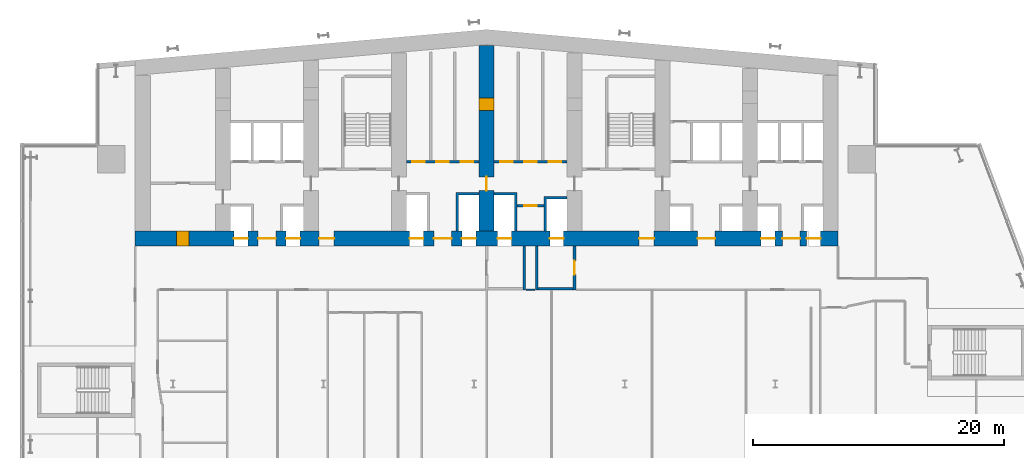
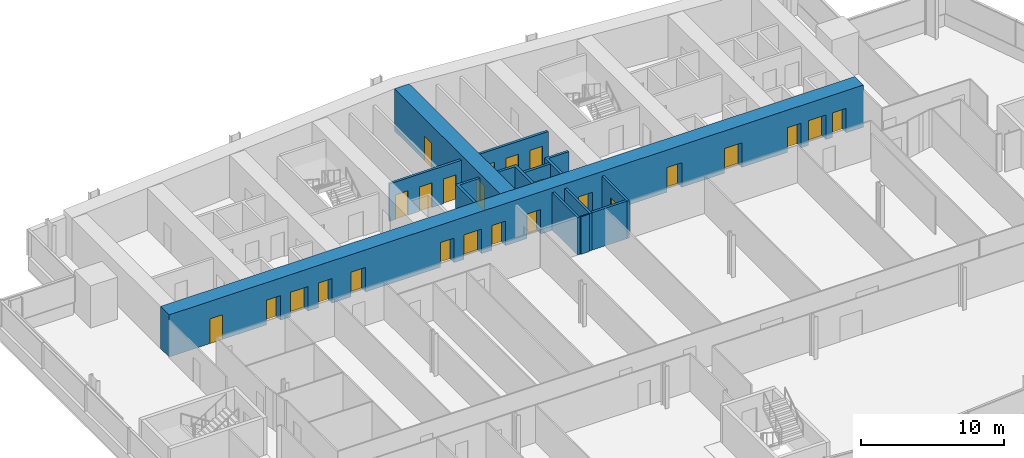
# One storey, part 16 of 24: 25 doors, 13 walls, 25 openings.
"""IFC4 building model written with IfcOpenShell, lengths in metres."""

from ifc_helpers import new_model, si_unit, direction, frame, frame_2d, origin, place, context, subcontext, project, spatial, polyline, rectangle, outline, extrude, material, layer, layer_set, type_object, element, fill, save


model = new_model("IFC4")

# Units and contexts
model_context = context("Model", 3, precision=1e-05, world=origin(), true_north=direction((0.0, 1.0)))
body_context = subcontext(model_context, "Body", "Model", "MODEL_VIEW")
ifc_project = project(units=[si_unit("LENGTHUNIT", "METRE"), si_unit("AREAUNIT", "SQUARE_METRE"), si_unit("VOLUMEUNIT", "CUBIC_METRE"), si_unit("PLANEANGLEUNIT", "RADIAN"), si_unit("MASSUNIT", "GRAM", prefix="KILO")], contexts=[model_context])

# Site, building, storey
site_placement = place(None, origin())
site = spatial("IfcSite", under=ifc_project, at=site_placement, CompositionType="ELEMENT")
building_placement = place(site_placement, origin())
building = spatial("IfcBuilding", under=site, at=building_placement, Name="Wharfspan Tower", CompositionType="ELEMENT")
storey_placement = place(building_placement, frame((0.0, 0.0, 41.5)))
storey = spatial("IfcBuildingStorey", under=building, at=storey_placement, Name="L06", CompositionType="ELEMENT", Elevation=41.5)

# Wall
ifc_material_1 = material(Name="Gypsum board on steel studs", Category="steel")
ifc_layer_1 = layer(ifc_material_1, 0.100098)
ifc_layer_set_1 = layer_set([ifc_layer_1], Name="Gypsum board on steel studs")
wall_type_1 = type_object("IfcWallType", Name="Compartment wall 100 EI 60", PredefinedType="PARTITIONING", material=ifc_layer_set_1)
wall_1_placement = place(storey_placement, frame((40.149902, 30.5, 0.0), z_axis=(0.0, 0.0, 1.0), x_axis=(1.0, 0.0, 0.0)))
element("IfcWall", 1, at=wall_1_placement, inside=storey, type_object=wall_type_1, Name="Partition L06.w014 (2)", PredefinedType="PARTITIONING", context=body_context, shape_type="SweptSolid", body=[
    extrude(rectangle(XDim=0.700195, YDim=0.100098, at=frame_2d((0.350098, 0.0))), origin(), (0.0, 0.0, 1.0), 3.199951),
])

# Wall, opening, door
ifc_material_2 = material(Name="Calcium silicate masonry", Category="masonry")
ifc_layer_2 = layer(ifc_material_2, 0.199951)
ifc_layer_set_2 = layer_set([ifc_layer_2], Name="Calcium silicate masonry")
wall_type_2 = type_object("IfcWallType", Name="Core room wall 200", PredefinedType="PARTITIONING", material=ifc_layer_set_2)
wall_2_placement = place(storey_placement, frame((39.43335, 37.199951, 0.0), z_axis=(0.0, 0.0, 1.0), x_axis=(1.0, 0.0, 0.0)))
wall_2 = element("IfcWall", 2, at=wall_2_placement, inside=storey, type_object=wall_type_2, Name="sw:L06:FR4.2", PredefinedType="PARTITIONING", context=body_context, shape_type="SweptSolid", body=[
    extrude(rectangle(XDim=2.133301, YDim=0.199951, at=frame_2d((1.06665, 0.0))), origin(), (0.0, 0.0, 1.0), 3.199951),
])
opening_1_placement = place(wall_2_placement, frame((0.56665, 0.0, 0.0)))
opening_1 = element("IfcOpeningElement", 3, at=opening_1_placement, cuts=wall_2, Name="Opening CD06.4H2", PredefinedType="OPENING", context=body_context, shape_type="SweptSolid", body=[
    extrude(rectangle(XDim=1.0, YDim=2.100098, at=frame_2d((0.5, 1.050049))), frame((0.0, 0.109863, 0.0), z_axis=(0.0, -1.0, 0.0), x_axis=(1.0, 0.0, 0.0)), (0.0, 0.0, 1.0), 0.219971),
])
ifc_material_3 = material(Name="Steel door leaf", Category="steel")
door_type_1 = type_object("IfcDoorType", Name="Core room door 1000x2100", OperationType="SINGLE_SWING_LEFT", PredefinedType="DOOR", material=ifc_material_3)
door_1_placement = place(opening_1_placement, origin())
door_1 = element("IfcDoor", 4, at=door_1_placement, inside=storey, type_object=door_type_1, Name="d:L06:4:fh4.2", OperationType="SINGLE_SWING_RIGHT", OverallHeight=2.100098, OverallWidth=1.0, PredefinedType="DOOR", context=body_context, shape_type="SweptSolid", body=[
    extrude(rectangle(XDim=1.0, YDim=2.100098, at=frame_2d((0.5, 1.050049))), frame((0.0, 0.024902, 0.0), z_axis=(0.0, -1.0, 0.0), x_axis=(1.0, 0.0, 0.0)), (0.0, 0.0, 1.0), 0.050049),
])
fill(opening_1, door_1)

# Wall, openings, doors
ifc_material_4 = material(Name="Concrete C70/85", Category="concrete")
ifc_layer_3 = layer(ifc_material_4, 1.199951)
ifc_layer_set_3 = layer_set([ifc_layer_3], Name="Concrete C70/85")
wall_type_3 = type_object("IfcWallType", Name="Core wall 1200 C70/85", PredefinedType="SHEAR", material=ifc_layer_set_3)
wall_3_placement = place(storey_placement, frame((9.0, 34.600098, 0.0), z_axis=(0.0, 0.0, 1.0), x_axis=(1.0, 0.0, 0.0)))
wall_3 = element("IfcWall", 5, at=wall_3_placement, inside=storey, type_object=wall_type_3, Name="Core front wall L06", PredefinedType="SHEAR", context=body_context, shape_type="SweptSolid", body=[
    extrude(rectangle(XDim=56.0, YDim=1.199951, at=frame_2d((28.0, 0.0))), origin(), (0.0, 0.0, 1.0), 3.600098),
])
opening_2_placement = place(wall_3_placement, frame((3.300049, 0.0, 0.0)))
opening_2 = element("IfcOpeningElement", 6, at=opening_2_placement, cuts=wall_3, Name="Opening CD06.01", PredefinedType="OPENING", context=body_context, shape_type="SweptSolid", body=[
    extrude(rectangle(XDim=1.0, YDim=2.100098, at=frame_2d((0.5, 1.050049))), frame((0.0, 0.609863, 0.0), z_axis=(0.0, -1.0, 0.0), x_axis=(1.0, 0.0, 0.0)), (0.0, 0.0, 1.0), 1.219971),
])
opening_3_placement = place(wall_3_placement, frame((7.866699, 0.0, 0.0)))
opening_3 = element("IfcOpeningElement", 7, at=opening_3_placement, cuts=wall_3, Name="Opening LD.LA1.L06", PredefinedType="OPENING", context=body_context, shape_type="SweptSolid", body=[
    extrude(rectangle(XDim=1.100098, YDim=2.100098, at=frame_2d((0.550049, 1.050049))), frame((0.0, 0.609863, 0.0), z_axis=(0.0, -1.0, 0.0), x_axis=(1.0, 0.0, 0.0)), (0.0, 0.0, 1.0), 1.219971),
])
opening_4_placement = place(wall_3_placement, frame((12.033203, 0.0, 0.0)))
opening_4 = element("IfcOpeningElement", 8, at=opening_4_placement, cuts=wall_3, Name="Opening LD.LA2.L06", PredefinedType="OPENING", context=body_context, shape_type="SweptSolid", body=[
    extrude(rectangle(XDim=1.100098, YDim=2.100098, at=frame_2d((0.550049, 1.050049))), frame((0.0, 0.609863, 0.0), z_axis=(0.0, -1.0, 0.0), x_axis=(1.0, 0.0, 0.0)), (0.0, 0.0, 1.0), 1.219971),
])
opening_5_placement = place(wall_3_placement, frame((9.800049, 0.0, 0.0)))
opening_5 = element("IfcOpeningElement", 9, at=opening_5_placement, cuts=wall_3, Name="Opening HD06.1", PredefinedType="OPENING", context=body_context, shape_type="SweptSolid", body=[
    extrude(rectangle(XDim=1.399902, YDim=2.100098, at=frame_2d((0.699951, 1.050049))), frame((0.0, 0.609863, 0.0), z_axis=(0.0, -1.0, 0.0), x_axis=(1.0, 0.0, 0.0)), (0.0, 0.0, 1.0), 1.219971),
])
opening_6_placement = place(wall_3_placement, frame((14.649902, 0.0, 0.0)))
opening_6 = element("IfcOpeningElement", 10, at=opening_6_placement, cuts=wall_3, Name="Opening SV2.L06", PredefinedType="OPENING", context=body_context, shape_type="SweptSolid", body=[
    extrude(rectangle(XDim=1.199951, YDim=2.100098, at=frame_2d((0.600098, 1.050049))), frame((0.0, 0.609863, 0.0), z_axis=(0.0, -1.0, 0.0), x_axis=(1.0, 0.0, 0.0)), (0.0, 0.0, 1.0), 1.219971),
])
opening_7_placement = place(wall_3_placement, frame((21.866699, 0.0, 0.0)))
opening_7 = element("IfcOpeningElement", 11, at=opening_7_placement, cuts=wall_3, Name="Opening LD.SL1.L06", PredefinedType="OPENING", context=body_context, shape_type="SweptSolid", body=[
    extrude(rectangle(XDim=1.100098, YDim=2.100098, at=frame_2d((0.550049, 1.050049))), frame((0.0, 0.609863, 0.0), z_axis=(0.0, -1.0, 0.0), x_axis=(1.0, 0.0, 0.0)), (0.0, 0.0, 1.0), 1.219971),
])
opening_8_placement = place(wall_3_placement, frame((26.033203, 0.0, 0.0)))
opening_8 = element("IfcOpeningElement", 12, at=opening_8_placement, cuts=wall_3, Name="Opening LD.SL2.L06", PredefinedType="OPENING", context=body_context, shape_type="SweptSolid", body=[
    extrude(rectangle(XDim=1.100098, YDim=2.100098, at=frame_2d((0.550049, 1.050049))), frame((0.0, 0.609863, 0.0), z_axis=(0.0, -1.0, 0.0), x_axis=(1.0, 0.0, 0.0)), (0.0, 0.0, 1.0), 1.219971),
])
opening_9_placement = place(wall_3_placement, frame((23.800049, 0.0, 0.0)))
opening_9 = element("IfcOpeningElement", 13, at=opening_9_placement, cuts=wall_3, Name="Opening HD06.3", PredefinedType="OPENING", context=body_context, shape_type="SweptSolid", body=[
    extrude(rectangle(XDim=1.399902, YDim=2.100098, at=frame_2d((0.699951, 1.050049))), frame((0.0, 0.609863, 0.0), z_axis=(0.0, -1.0, 0.0), x_axis=(1.0, 0.0, 0.0)), (0.0, 0.0, 1.0), 1.219971),
])
opening_10_placement = place(wall_3_placement, frame((28.866699, 0.0, 0.0)))
opening_10 = element("IfcOpeningElement", 14, at=opening_10_placement, cuts=wall_3, Name="Opening LD.FF1.L06", PredefinedType="OPENING", context=body_context, shape_type="SweptSolid", body=[
    extrude(rectangle(XDim=1.100098, YDim=2.100098, at=frame_2d((0.550049, 1.050049))), frame((0.0, 0.609863, 0.0), z_axis=(0.0, -1.0, 0.0), x_axis=(1.0, 0.0, 0.0)), (0.0, 0.0, 1.0), 1.219971),
])
opening_11_placement = place(wall_3_placement, frame((33.033203, 0.0, 0.0)))
opening_11 = element("IfcOpeningElement", 15, at=opening_11_placement, cuts=wall_3, Name="Opening LD.FF2.L06", PredefinedType="OPENING", context=body_context, shape_type="SweptSolid", body=[
    extrude(rectangle(XDim=1.100098, YDim=2.100098, at=frame_2d((0.550049, 1.050049))), frame((0.0, 0.609863, 0.0), z_axis=(0.0, -1.0, 0.0), x_axis=(1.0, 0.0, 0.0)), (0.0, 0.0, 1.0), 1.219971),
])
opening_12_placement = place(wall_3_placement, frame((40.149902, 0.0, 0.0)))
opening_12 = element("IfcOpeningElement", 16, at=opening_12_placement, cuts=wall_3, Name="Opening SV5.L06", PredefinedType="OPENING", context=body_context, shape_type="SweptSolid", body=[
    extrude(rectangle(XDim=1.199951, YDim=2.100098, at=frame_2d((0.600098, 1.050049))), frame((0.0, 0.609863, 0.0), z_axis=(0.0, -1.0, 0.0), x_axis=(1.0, 0.0, 0.0)), (0.0, 0.0, 1.0), 1.219971),
])
opening_13_placement = place(wall_3_placement, frame((44.800049, 0.0, 0.0)))
opening_13 = element("IfcOpeningElement", 17, at=opening_13_placement, cuts=wall_3, Name="Opening HD06.6", PredefinedType="OPENING", context=body_context, shape_type="SweptSolid", body=[
    extrude(rectangle(XDim=1.399902, YDim=2.100098, at=frame_2d((0.699951, 1.050049))), frame((0.0, 0.609863, 0.0), z_axis=(0.0, -1.0, 0.0), x_axis=(1.0, 0.0, 0.0)), (0.0, 0.0, 1.0), 1.219971),
])
opening_14_placement = place(wall_3_placement, frame((49.866699, 0.0, 0.0)))
opening_14 = element("IfcOpeningElement", 18, at=opening_14_placement, cuts=wall_3, Name="Opening LD.LA6.L06", PredefinedType="OPENING", context=body_context, shape_type="SweptSolid", body=[
    extrude(rectangle(XDim=1.100098, YDim=2.100098, at=frame_2d((0.550049, 1.050049))), frame((0.0, 0.609863, 0.0), z_axis=(0.0, -1.0, 0.0), x_axis=(1.0, 0.0, 0.0)), (0.0, 0.0, 1.0), 1.219971),
])
opening_15_placement = place(wall_3_placement, frame((53.5, 0.0, 0.0)))
opening_15 = element("IfcOpeningElement", 19, at=opening_15_placement, cuts=wall_3, Name="Opening LD.LA7.L06", PredefinedType="OPENING", context=body_context, shape_type="SweptSolid", body=[
    extrude(rectangle(XDim=1.100098, YDim=2.100098, at=frame_2d((0.550049, 1.050049))), frame((0.0, 0.609863, 0.0), z_axis=(0.0, -1.0, 0.0), x_axis=(1.0, 0.0, 0.0)), (0.0, 0.0, 1.0), 1.219971),
])
opening_16_placement = place(wall_3_placement, frame((51.56665, 0.0, 0.0)))
opening_16 = element("IfcOpeningElement", 20, at=opening_16_placement, cuts=wall_3, Name="Opening HD06.7", PredefinedType="OPENING", context=body_context, shape_type="SweptSolid", body=[
    extrude(rectangle(XDim=1.399902, YDim=2.100098, at=frame_2d((0.699951, 1.050049))), frame((0.0, 0.609863, 0.0), z_axis=(0.0, -1.0, 0.0), x_axis=(1.0, 0.0, 0.0)), (0.0, 0.0, 1.0), 1.219971),
])
door_2_placement = place(opening_2_placement, origin())
door_2 = element("IfcDoor", 21, at=door_2_placement, inside=storey, type_object=door_type_1, Name="d:L06:0:rf", OperationType="SINGLE_SWING_LEFT", OverallHeight=2.100098, OverallWidth=1.0, PredefinedType="DOOR", context=body_context, shape_type="SweptSolid", body=[
    extrude(rectangle(XDim=1.0, YDim=2.100098, at=frame_2d((0.5, 1.050049))), frame((0.0, 0.599609, 0.0), z_axis=(0.0, -1.0, 0.0), x_axis=(1.0, 0.0, 0.0)), (0.0, 0.0, 1.0), 1.199463),
])
fill(opening_2, door_2)
door_type_2 = type_object("IfcDoorType", Name="Hall entry door 1400x2100", OperationType="DOUBLE_DOOR_SINGLE_SWING", PredefinedType="DOOR", material=ifc_material_3)
door_3_placement = place(opening_5_placement, origin())
door_3 = element("IfcDoor", 22, at=door_3_placement, inside=storey, type_object=door_type_2, Name="d:L06:1:hd1", OperationType="DOUBLE_DOOR_SINGLE_SWING", OverallHeight=2.100098, OverallWidth=1.399902, PredefinedType="DOOR", context=body_context, shape_type="SweptSolid", body=[
    extrude(rectangle(XDim=1.399902, YDim=2.100098, at=frame_2d((0.699951, 1.050049))), frame((0.0, 0.024902, 0.0), z_axis=(0.0, -1.0, 0.0), x_axis=(1.0, 0.0, 0.0)), (0.0, 0.0, 1.0), 0.050049),
])
fill(opening_5, door_3)
door_4_placement = place(opening_9_placement, origin())
door_4 = element("IfcDoor", 23, at=door_4_placement, inside=storey, type_object=door_type_2, Name="d:L06:3:hd3", OperationType="DOUBLE_DOOR_SINGLE_SWING", OverallHeight=2.100098, OverallWidth=1.399902, PredefinedType="DOOR", context=body_context, shape_type="SweptSolid", body=[
    extrude(rectangle(XDim=1.399902, YDim=2.100098, at=frame_2d((0.699951, 1.050049))), frame((0.0, 0.024902, 0.0), z_axis=(0.0, -1.0, 0.0), x_axis=(1.0, 0.0, 0.0)), (0.0, 0.0, 1.0), 0.050049),
])
fill(opening_9, door_4)
door_5_placement = place(opening_13_placement, origin())
door_5 = element("IfcDoor", 24, at=door_5_placement, inside=storey, type_object=door_type_2, Name="d:L06:6:hd6", OperationType="DOUBLE_DOOR_SINGLE_SWING", OverallHeight=2.100098, OverallWidth=1.399902, PredefinedType="DOOR", context=body_context, shape_type="SweptSolid", body=[
    extrude(rectangle(XDim=1.399902, YDim=2.100098, at=frame_2d((0.699951, 1.050049))), frame((0.0, 0.024902, 0.0), z_axis=(0.0, -1.0, 0.0), x_axis=(1.0, 0.0, 0.0)), (0.0, 0.0, 1.0), 0.050049),
])
fill(opening_13, door_5)
door_6_placement = place(opening_16_placement, origin())
door_6 = element("IfcDoor", 25, at=door_6_placement, inside=storey, type_object=door_type_2, Name="d:L06:7:hd7", OperationType="DOUBLE_DOOR_SINGLE_SWING", OverallHeight=2.100098, OverallWidth=1.399902, PredefinedType="DOOR", context=body_context, shape_type="SweptSolid", body=[
    extrude(rectangle(XDim=1.399902, YDim=2.100098, at=frame_2d((0.699951, 1.050049))), frame((0.0, 0.024902, 0.0), z_axis=(0.0, -1.0, 0.0), x_axis=(1.0, 0.0, 0.0)), (0.0, 0.0, 1.0), 0.050049),
])
fill(opening_16, door_6)
ifc_material_5 = material(Name="Stainless steel", Category="steel")
door_type_3 = type_object("IfcDoorType", Name="Lift landing door 1100x2100", OperationType="DOUBLE_DOOR_SLIDING", PredefinedType="DOOR", material=ifc_material_5)
door_7_placement = place(opening_3_placement, origin())
door_7 = element("IfcDoor", 26, at=door_7_placement, inside=storey, type_object=door_type_3, Name="Landing door LA1 L06", OperationType="DOUBLE_DOOR_SLIDING", OverallHeight=2.100098, OverallWidth=1.100098, PredefinedType="DOOR", context=body_context, shape_type="SweptSolid", body=[
    extrude(rectangle(XDim=1.100098, YDim=2.100098, at=frame_2d((0.550049, 1.050049))), frame((0.0, 0.024902, 0.0), z_axis=(0.0, -1.0, 0.0), x_axis=(1.0, 0.0, 0.0)), (0.0, 0.0, 1.0), 0.050049),
])
fill(opening_3, door_7)
door_8_placement = place(opening_4_placement, origin())
door_8 = element("IfcDoor", 27, at=door_8_placement, inside=storey, type_object=door_type_3, Name="Landing door LA2 L06", OperationType="DOUBLE_DOOR_SLIDING", OverallHeight=2.100098, OverallWidth=1.100098, PredefinedType="DOOR", context=body_context, shape_type="SweptSolid", body=[
    extrude(rectangle(XDim=1.100098, YDim=2.100098, at=frame_2d((0.550049, 1.050049))), frame((0.0, 0.024902, 0.0), z_axis=(0.0, -1.0, 0.0), x_axis=(1.0, 0.0, 0.0)), (0.0, 0.0, 1.0), 0.050049),
])
fill(opening_4, door_8)
door_9_placement = place(opening_7_placement, origin())
door_9 = element("IfcDoor", 28, at=door_9_placement, inside=storey, type_object=door_type_3, Name="Landing door SL1 L06", OperationType="DOUBLE_DOOR_SLIDING", OverallHeight=2.100098, OverallWidth=1.100098, PredefinedType="DOOR", context=body_context, shape_type="SweptSolid", body=[
    extrude(rectangle(XDim=1.100098, YDim=2.100098, at=frame_2d((0.550049, 1.050049))), frame((0.0, 0.024902, 0.0), z_axis=(0.0, -1.0, 0.0), x_axis=(1.0, 0.0, 0.0)), (0.0, 0.0, 1.0), 0.050049),
])
fill(opening_7, door_9)
door_10_placement = place(opening_8_placement, origin())
door_10 = element("IfcDoor", 29, at=door_10_placement, inside=storey, type_object=door_type_3, Name="Landing door SL2 L06", OperationType="DOUBLE_DOOR_SLIDING", OverallHeight=2.100098, OverallWidth=1.100098, PredefinedType="DOOR", context=body_context, shape_type="SweptSolid", body=[
    extrude(rectangle(XDim=1.100098, YDim=2.100098, at=frame_2d((0.550049, 1.050049))), frame((0.0, 0.024902, 0.0), z_axis=(0.0, -1.0, 0.0), x_axis=(1.0, 0.0, 0.0)), (0.0, 0.0, 1.0), 0.050049),
])
fill(opening_8, door_10)
door_11_placement = place(opening_10_placement, origin())
door_11 = element("IfcDoor", 30, at=door_11_placement, inside=storey, type_object=door_type_3, Name="Landing door FF1 L06", OperationType="DOUBLE_DOOR_SLIDING", OverallHeight=2.100098, OverallWidth=1.100098, PredefinedType="DOOR", context=body_context, shape_type="SweptSolid", body=[
    extrude(rectangle(XDim=1.100098, YDim=2.100098, at=frame_2d((0.550049, 1.050049))), frame((0.0, 0.024902, 0.0), z_axis=(0.0, -1.0, 0.0), x_axis=(1.0, 0.0, 0.0)), (0.0, 0.0, 1.0), 0.050049),
])
fill(opening_10, door_11)
door_12_placement = place(opening_11_placement, origin())
door_12 = element("IfcDoor", 31, at=door_12_placement, inside=storey, type_object=door_type_3, Name="Landing door FF2 L06", OperationType="DOUBLE_DOOR_SLIDING", OverallHeight=2.100098, OverallWidth=1.100098, PredefinedType="DOOR", context=body_context, shape_type="SweptSolid", body=[
    extrude(rectangle(XDim=1.100098, YDim=2.100098, at=frame_2d((0.550049, 1.050049))), frame((0.0, 0.024902, 0.0), z_axis=(0.0, -1.0, 0.0), x_axis=(1.0, 0.0, 0.0)), (0.0, 0.0, 1.0), 0.050049),
])
fill(opening_11, door_12)
door_13_placement = place(opening_14_placement, origin())
door_13 = element("IfcDoor", 32, at=door_13_placement, inside=storey, type_object=door_type_3, Name="Landing door LA6 L06", OperationType="DOUBLE_DOOR_SLIDING", OverallHeight=2.100098, OverallWidth=1.100098, PredefinedType="DOOR", context=body_context, shape_type="SweptSolid", body=[
    extrude(rectangle(XDim=1.100098, YDim=2.100098, at=frame_2d((0.550049, 1.050049))), frame((0.0, 0.024902, 0.0), z_axis=(0.0, -1.0, 0.0), x_axis=(1.0, 0.0, 0.0)), (0.0, 0.0, 1.0), 0.050049),
])
fill(opening_14, door_13)
door_14_placement = place(opening_15_placement, origin())
door_14 = element("IfcDoor", 33, at=door_14_placement, inside=storey, type_object=door_type_3, Name="Landing door LA7 L06", OperationType="DOUBLE_DOOR_SLIDING", OverallHeight=2.100098, OverallWidth=1.100098, PredefinedType="DOOR", context=body_context, shape_type="SweptSolid", body=[
    extrude(rectangle(XDim=1.100098, YDim=2.100098, at=frame_2d((0.550049, 1.050049))), frame((0.0, 0.024902, 0.0), z_axis=(0.0, -1.0, 0.0), x_axis=(1.0, 0.0, 0.0)), (0.0, 0.0, 1.0), 0.050049),
])
fill(opening_15, door_14)
door_type_4 = type_object("IfcDoorType", Name="Stair door 1200x2100", OperationType="SINGLE_SWING_LEFT", PredefinedType="DOOR", material=ifc_material_3)
door_15_placement = place(opening_6_placement, origin())
door_15 = element("IfcDoor", 34, at=door_15_placement, inside=storey, type_object=door_type_4, Name="vd:L06:2", OperationType="SINGLE_SWING_LEFT", OverallHeight=2.100098, OverallWidth=1.199951, PredefinedType="DOOR", context=body_context, shape_type="SweptSolid", body=[
    extrude(rectangle(XDim=1.199951, YDim=2.100098, at=frame_2d((0.600098, 1.050049))), frame((0.0, 0.024902, 0.0), z_axis=(0.0, -1.0, 0.0), x_axis=(1.0, 0.0, 0.0)), (0.0, 0.0, 1.0), 0.050049),
])
fill(opening_6, door_15)
door_16_placement = place(opening_12_placement, origin())
door_16 = element("IfcDoor", 35, at=door_16_placement, inside=storey, type_object=door_type_4, Name="vd:L06:5", OperationType="SINGLE_SWING_LEFT", OverallHeight=2.100098, OverallWidth=1.199951, PredefinedType="DOOR", context=body_context, shape_type="SweptSolid", body=[
    extrude(rectangle(XDim=1.199951, YDim=2.100098, at=frame_2d((0.600098, 1.050049))), frame((0.0, 0.024902, 0.0), z_axis=(0.0, -1.0, 0.0), x_axis=(1.0, 0.0, 0.0)), (0.0, 0.0, 1.0), 0.050049),
])
fill(opening_12, door_16)

wall_4_placement = place(storey_placement, frame((37.0, 35.199951, 0.0), z_axis=(0.0, 0.0, 1.0), x_axis=(0.0, 1.0, 0.0)))
wall_4 = element("IfcWall", 36, at=wall_4_placement, inside=storey, type_object=wall_type_3, Name="Core cross wall X4 L06", PredefinedType="SHEAR", context=body_context, shape_type="SweptSolid", body=[
    extrude(rectangle(XDim=14.780029, YDim=1.199951, at=frame_2d((7.390137, 0.0))), origin(), (0.0, 0.0, 1.0), 3.600098),
])
opening_17_placement = place(wall_4_placement, frame((3.199951, 0.0, 0.0)))
opening_17 = element("IfcOpeningElement", 37, at=opening_17_placement, cuts=wall_4, Name="Opening CC06.4", PredefinedType="OPENING", context=body_context, shape_type="SweptSolid", body=[
    extrude(rectangle(XDim=1.100098, YDim=2.100098, at=frame_2d((0.550049, 1.050049))), frame((0.0, 0.609863, 0.0), z_axis=(0.0, -1.0, 0.0), x_axis=(1.0, 0.0, 0.0)), (0.0, 0.0, 1.0), 1.219971),
])
opening_18_placement = place(wall_4_placement, frame((9.600098, 0.0, 0.0)))
opening_18 = element("IfcOpeningElement", 38, at=opening_18_placement, cuts=wall_4, Name="Opening CR06.4", PredefinedType="OPENING", context=body_context, shape_type="SweptSolid", body=[
    extrude(rectangle(XDim=1.0, YDim=2.100098, at=frame_2d((0.5, 1.050049))), frame((0.0, 0.609863, 0.0), z_axis=(0.0, -1.0, 0.0), x_axis=(1.0, 0.0, 0.0)), (0.0, 0.0, 1.0), 1.219971),
])
door_type_5 = type_object("IfcDoorType", Name="Core corridor door 1100x2100", OperationType="SINGLE_SWING_LEFT", PredefinedType="DOOR", material=ifc_material_3)
door_17_placement = place(opening_17_placement, origin())
door_17 = element("IfcDoor", 39, at=door_17_placement, inside=storey, type_object=door_type_5, Name="xd:L06:4", OperationType="SINGLE_SWING_RIGHT", OverallHeight=2.100098, OverallWidth=1.100098, PredefinedType="DOOR", context=body_context, shape_type="SweptSolid", body=[
    extrude(rectangle(XDim=1.100098, YDim=2.100098, at=frame_2d((0.550049, 1.050049))), frame((0.0, 0.024902, 0.0), z_axis=(0.0, -1.0, 0.0), x_axis=(1.0, 0.0, 0.0)), (0.0, 0.0, 1.0), 0.050049),
])
fill(opening_17, door_17)
door_18_placement = place(opening_18_placement, origin())
door_18 = element("IfcDoor", 40, at=door_18_placement, inside=storey, type_object=door_type_1, Name="xr:L06:4", OperationType="SINGLE_SWING_RIGHT", OverallHeight=2.100098, OverallWidth=1.0, PredefinedType="DOOR", context=body_context, shape_type="SweptSolid", body=[
    extrude(rectangle(XDim=1.0, YDim=2.100098, at=frame_2d((0.5, 1.050049))), frame((0.0, 0.599609, 0.0), z_axis=(0.0, -1.0, 0.0), x_axis=(1.0, 0.0, 0.0)), (0.0, 0.0, 1.0), 1.199463),
])
fill(opening_18, door_18)

ifc_material_6 = material(Name="Concrete C30/37", Category="concrete")
ifc_layer_4 = layer(ifc_material_6, 0.199951)
ifc_layer_set_4 = layer_set([ifc_layer_4], Name="Concrete C30/37")
wall_type_4 = type_object("IfcWallType", Name="Lift shaft wall 200", PredefinedType="PARTITIONING", material=ifc_layer_set_4)
wall_5_placement = place(storey_placement, frame((30.600098, 40.699951, 0.0), z_axis=(0.0, 0.0, 1.0), x_axis=(1.0, 0.0, 0.0)))
wall_5 = element("IfcWall", 41, at=wall_5_placement, inside=storey, type_object=wall_type_4, Name="sw:L06:RF3", PredefinedType="PARTITIONING", context=body_context, shape_type="SweptSolid", body=[
    extrude(rectangle(XDim=5.799805, YDim=0.199951, at=frame_2d((2.899902, 0.0))), origin(), (0.0, 0.0, 1.0), 3.199951),
])
opening_19_placement = place(wall_5_placement, frame((0.466797, 0.0, 0.0)))
opening_19 = element("IfcOpeningElement", 42, at=opening_19_placement, cuts=wall_5, Name="Opening CD06.3S", PredefinedType="OPENING", context=body_context, shape_type="SweptSolid", body=[
    extrude(rectangle(XDim=1.0, YDim=2.100098, at=frame_2d((0.5, 1.050049))), frame((0.0, 0.109863, 0.0), z_axis=(0.0, -1.0, 0.0), x_axis=(1.0, 0.0, 0.0)), (0.0, 0.0, 1.0), 0.219971),
])
opening_20_placement = place(wall_5_placement, frame((2.399902, 0.0, 0.0)))
opening_20 = element("IfcOpeningElement", 43, at=opening_20_placement, cuts=wall_5, Name="Opening CD06.3Sa", PredefinedType="OPENING", context=body_context, shape_type="SweptSolid", body=[
    extrude(rectangle(XDim=1.0, YDim=2.100098, at=frame_2d((0.5, 1.050049))), frame((0.0, 0.109863, 0.0), z_axis=(0.0, -1.0, 0.0), x_axis=(1.0, 0.0, 0.0)), (0.0, 0.0, 1.0), 0.219971),
])
opening_21_placement = place(wall_5_placement, frame((4.333252, 0.0, 0.0)))
opening_21 = element("IfcOpeningElement", 44, at=opening_21_placement, cuts=wall_5, Name="Opening CD06.3Sb", PredefinedType="OPENING", context=body_context, shape_type="SweptSolid", body=[
    extrude(rectangle(XDim=1.0, YDim=2.100098, at=frame_2d((0.5, 1.050049))), frame((0.0, 0.109863, 0.0), z_axis=(0.0, -1.0, 0.0), x_axis=(1.0, 0.0, 0.0)), (0.0, 0.0, 1.0), 0.219971),
])
door_19_placement = place(opening_19_placement, origin())
door_19 = element("IfcDoor", 45, at=door_19_placement, inside=storey, type_object=door_type_1, Name="d:L06:3:sf", OperationType="SINGLE_SWING_LEFT", OverallHeight=2.100098, OverallWidth=1.0, PredefinedType="DOOR", context=body_context, shape_type="SweptSolid", body=[
    extrude(rectangle(XDim=1.0, YDim=2.100098, at=frame_2d((0.5, 1.050049))), frame((0.0, 0.024902, 0.0), z_axis=(0.0, -1.0, 0.0), x_axis=(1.0, 0.0, 0.0)), (0.0, 0.0, 1.0), 0.050049),
])
fill(opening_19, door_19)
door_20_placement = place(opening_20_placement, origin())
door_20 = element("IfcDoor", 46, at=door_20_placement, inside=storey, type_object=door_type_1, Name="d:L06:3:sf1", OperationType="SINGLE_SWING_LEFT", OverallHeight=2.100098, OverallWidth=1.0, PredefinedType="DOOR", context=body_context, shape_type="SweptSolid", body=[
    extrude(rectangle(XDim=1.0, YDim=2.100098, at=frame_2d((0.5, 1.050049))), frame((0.0, 0.024902, 0.0), z_axis=(0.0, -1.0, 0.0), x_axis=(1.0, 0.0, 0.0)), (0.0, 0.0, 1.0), 0.050049),
])
fill(opening_20, door_20)
door_21_placement = place(opening_21_placement, origin())
door_21 = element("IfcDoor", 47, at=door_21_placement, inside=storey, type_object=door_type_1, Name="d:L06:3:sf2", OperationType="SINGLE_SWING_LEFT", OverallHeight=2.100098, OverallWidth=1.0, PredefinedType="DOOR", context=body_context, shape_type="SweptSolid", body=[
    extrude(rectangle(XDim=1.0, YDim=2.100098, at=frame_2d((0.5, 1.050049))), frame((0.0, 0.024902, 0.0), z_axis=(0.0, -1.0, 0.0), x_axis=(1.0, 0.0, 0.0)), (0.0, 0.0, 1.0), 0.050049),
])
fill(opening_21, door_21)

# Wall
wall_6_placement = place(storey_placement, frame((0.0, 0.0, -0.000244)))
element("IfcWall", 48, at=wall_6_placement, inside=storey, type_object=wall_type_4, Name="sw:L06:FM3.1", PredefinedType="PARTITIONING", context=body_context, shape_type="SweptSolid", body=[
    extrude(outline(polyline([(34.56665, 38.25), (34.766602, 38.25), (36.399902, 38.25), (36.399902, 38.050049), (34.766602, 38.050049), (34.766602, 35.199951), (34.56665, 35.199951), (34.56665, 38.25)])), origin(), (0.0, 0.0, 1.0), 3.200195),
])

# Wall, openings, doors
wall_7_placement = place(storey_placement, frame((37.600098, 40.699951, 0.0), z_axis=(0.0, 0.0, 1.0), x_axis=(1.0, 0.0, 0.0)))
wall_7 = element("IfcWall", 49, at=wall_7_placement, inside=storey, type_object=wall_type_4, Name="sw:L06:RF4", PredefinedType="PARTITIONING", context=body_context, shape_type="SweptSolid", body=[
    extrude(rectangle(XDim=5.799805, YDim=0.199951, at=frame_2d((2.899902, 0.0))), origin(), (0.0, 0.0, 1.0), 3.199951),
])
opening_22_placement = place(wall_7_placement, frame((0.466797, 0.0, 0.0)))
opening_22 = element("IfcOpeningElement", 50, at=opening_22_placement, cuts=wall_7, Name="Opening CD06.4S", PredefinedType="OPENING", context=body_context, shape_type="SweptSolid", body=[
    extrude(rectangle(XDim=1.0, YDim=2.100098, at=frame_2d((0.5, 1.050049))), frame((0.0, 0.109863, 0.0), z_axis=(0.0, -1.0, 0.0), x_axis=(1.0, 0.0, 0.0)), (0.0, 0.0, 1.0), 0.219971),
])
opening_23_placement = place(wall_7_placement, frame((2.399902, 0.0, 0.0)))
opening_23 = element("IfcOpeningElement", 51, at=opening_23_placement, cuts=wall_7, Name="Opening CD06.4Sa", PredefinedType="OPENING", context=body_context, shape_type="SweptSolid", body=[
    extrude(rectangle(XDim=1.0, YDim=2.100098, at=frame_2d((0.5, 1.050049))), frame((0.0, 0.109863, 0.0), z_axis=(0.0, -1.0, 0.0), x_axis=(1.0, 0.0, 0.0)), (0.0, 0.0, 1.0), 0.219971),
])
opening_24_placement = place(wall_7_placement, frame((4.333252, 0.0, 0.0)))
opening_24 = element("IfcOpeningElement", 52, at=opening_24_placement, cuts=wall_7, Name="Opening CD06.4Sb", PredefinedType="OPENING", context=body_context, shape_type="SweptSolid", body=[
    extrude(rectangle(XDim=1.0, YDim=2.100098, at=frame_2d((0.5, 1.050049))), frame((0.0, 0.109863, 0.0), z_axis=(0.0, -1.0, 0.0), x_axis=(1.0, 0.0, 0.0)), (0.0, 0.0, 1.0), 0.219971),
])
door_22_placement = place(opening_22_placement, origin())
door_22 = element("IfcDoor", 53, at=door_22_placement, inside=storey, type_object=door_type_1, Name="d:L06:4:sf", OperationType="SINGLE_SWING_LEFT", OverallHeight=2.100098, OverallWidth=1.0, PredefinedType="DOOR", context=body_context, shape_type="SweptSolid", body=[
    extrude(rectangle(XDim=1.0, YDim=2.100098, at=frame_2d((0.5, 1.050049))), frame((0.0, 0.024902, 0.0), z_axis=(0.0, -1.0, 0.0), x_axis=(1.0, 0.0, 0.0)), (0.0, 0.0, 1.0), 0.050049),
])
fill(opening_22, door_22)
door_23_placement = place(opening_23_placement, origin())
door_23 = element("IfcDoor", 54, at=door_23_placement, inside=storey, type_object=door_type_1, Name="d:L06:4:sf1", OperationType="SINGLE_SWING_LEFT", OverallHeight=2.100098, OverallWidth=1.0, PredefinedType="DOOR", context=body_context, shape_type="SweptSolid", body=[
    extrude(rectangle(XDim=1.0, YDim=2.100098, at=frame_2d((0.5, 1.050049))), frame((0.0, 0.024902, 0.0), z_axis=(0.0, -1.0, 0.0), x_axis=(1.0, 0.0, 0.0)), (0.0, 0.0, 1.0), 0.050049),
])
fill(opening_23, door_23)
door_24_placement = place(opening_24_placement, origin())
door_24 = element("IfcDoor", 55, at=door_24_placement, inside=storey, type_object=door_type_1, Name="d:L06:4:sf2", OperationType="SINGLE_SWING_LEFT", OverallHeight=2.100098, OverallWidth=1.0, PredefinedType="DOOR", context=body_context, shape_type="SweptSolid", body=[
    extrude(rectangle(XDim=1.0, YDim=2.100098, at=frame_2d((0.5, 1.050049))), frame((0.0, 0.024902, 0.0), z_axis=(0.0, -1.0, 0.0), x_axis=(1.0, 0.0, 0.0)), (0.0, 0.0, 1.0), 0.050049),
])
fill(opening_24, door_24)

# Walls
wall_8_placement = place(storey_placement, frame((0.0, 0.0, -0.000244)))
element("IfcWall", 56, at=wall_8_placement, inside=storey, type_object=wall_type_4, Name="sw:L06:FM4.0", PredefinedType="PARTITIONING", context=body_context, shape_type="SweptSolid", body=[
    extrude(outline(polyline([(41.56665, 37.949951), (41.766602, 37.949951), (43.399902, 37.949951), (43.399902, 37.75), (41.766602, 37.75), (41.766602, 35.199951), (41.56665, 35.199951), (41.56665, 37.949951)])), origin(), (0.0, 0.0, 1.0), 3.200195),
])
wall_9_placement = place(storey_placement, frame((0.0, 0.0, -0.000244)))
element("IfcWall", 57, at=wall_9_placement, inside=storey, type_object=wall_type_4, Name="sw:L06:FM4.1", PredefinedType="PARTITIONING", context=body_context, shape_type="SweptSolid", body=[
    extrude(outline(polyline([(39.233398, 38.050049), (37.600098, 38.050049), (37.600098, 38.25), (39.233398, 38.25), (39.43335, 38.25), (39.43335, 35.199951), (39.233398, 35.199951), (39.233398, 38.050049)])), origin(), (0.0, 0.0, 1.0), 3.200195),
])
ifc_layer_5 = layer(ifc_material_6, 0.199951)
ifc_layer_set_5 = layer_set([ifc_layer_5], Name="Concrete C30/37")
wall_type_5 = type_object("IfcWallType", Name="Lobby wall 200", PredefinedType="PARTITIONING", material=ifc_layer_set_5)
for number, where, z_axis, x_axis, name in (
    (58, (40.0, 30.5, 0.0), (0.0, 0.0, 1.0), (0.0, 1.0, 0.0), "sw:L06:FLFF1E"),
    (59, (41.0, 30.5, 0.0), (0.0, 0.0, 1.0), (0.0, 1.0, 0.0), "sw:L06:FLFF2W"),
):
    element("IfcWall", number, at=place(storey_placement, frame(where, z_axis=z_axis, x_axis=x_axis)), inside=storey, type_object=wall_type_5, Name=name, PredefinedType="PARTITIONING", context=body_context, shape_type="SweptSolid", body=[
        extrude(rectangle(XDim=3.5, YDim=0.199951, at=frame_2d((1.75, 0.0))), origin(), (0.0, 0.0, 1.0), 3.199951),
    ])

# Wall, opening, door
wall_10_placement = place(storey_placement, frame((44.0, 30.5, 0.0), z_axis=(0.0, 0.0, 1.0), x_axis=(0.0, 1.0, 0.0)))
wall_10 = element("IfcWall", 60, at=wall_10_placement, inside=storey, type_object=wall_type_5, Name="sw:L06:FLFF2E", PredefinedType="PARTITIONING", context=body_context, shape_type="SweptSolid", body=[
    extrude(rectangle(XDim=3.5, YDim=0.199951, at=frame_2d((1.75, 0.0))), origin(), (0.0, 0.0, 1.0), 3.199951),
])
opening_25_placement = place(wall_10_placement, frame((1.199951, 0.0, 0.0)))
opening_25 = element("IfcOpeningElement", 61, at=opening_25_placement, cuts=wall_10, Name="Opening FL.FF2.L06", PredefinedType="OPENING", context=body_context, shape_type="SweptSolid", body=[
    extrude(rectangle(XDim=1.100098, YDim=2.100098, at=frame_2d((0.550049, 1.050049))), frame((0.0, 0.109863, 0.0), z_axis=(0.0, -1.0, 0.0), x_axis=(1.0, 0.0, 0.0)), (0.0, 0.0, 1.0), 0.219971),
])
door_type_6 = type_object("IfcDoorType", Name="Firefighting lobby door 1100x2100", OperationType="SINGLE_SWING_LEFT", PredefinedType="DOOR", material=ifc_material_3)
door_25_placement = place(opening_25_placement, origin())
door_25 = element("IfcDoor", 62, at=door_25_placement, inside=storey, type_object=door_type_6, Name="fd:L06:FF2", OperationType="SINGLE_SWING_LEFT", OverallHeight=2.100098, OverallWidth=1.100098, PredefinedType="DOOR", context=body_context, shape_type="SweptSolid", body=[
    extrude(rectangle(XDim=1.100098, YDim=2.100098, at=frame_2d((0.550049, 1.050049))), frame((0.0, 0.024902, 0.0), z_axis=(0.0, -1.0, 0.0), x_axis=(1.0, 0.0, 0.0)), (0.0, 0.0, 1.0), 0.050049),
])
fill(opening_25, door_25)

# Wall
wall_11_placement = place(storey_placement, frame((41.100098, 30.600098, 0.0), z_axis=(0.0, 0.0, 1.0), x_axis=(1.0, 0.0, 0.0)))
element("IfcWall", 63, at=wall_11_placement, inside=storey, type_object=wall_type_5, Name="sw:L06:FLFF2F", PredefinedType="PARTITIONING", context=body_context, shape_type="SweptSolid", body=[
    extrude(rectangle(XDim=2.799805, YDim=0.199951, at=frame_2d((1.399902, 0.0))), origin(), (0.0, 0.0, 1.0), 3.199951),
])

save(model, "model.ifc")
